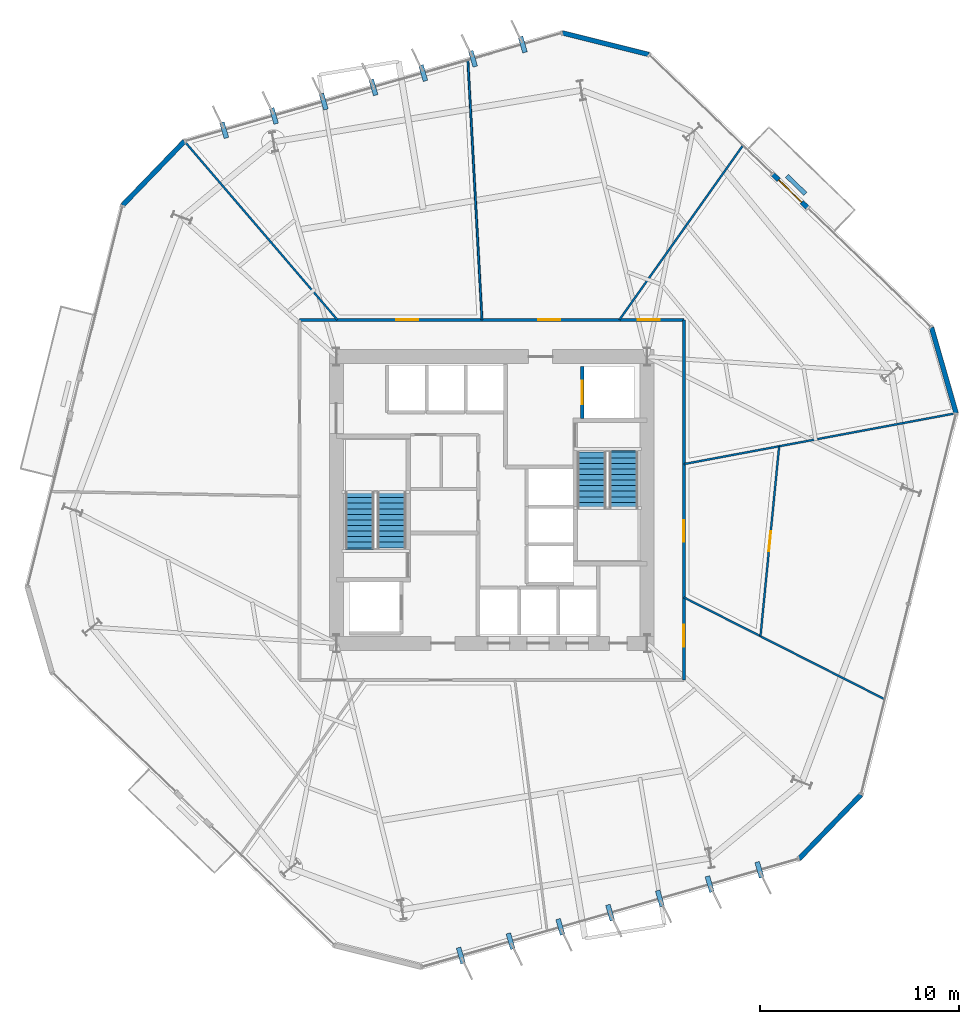
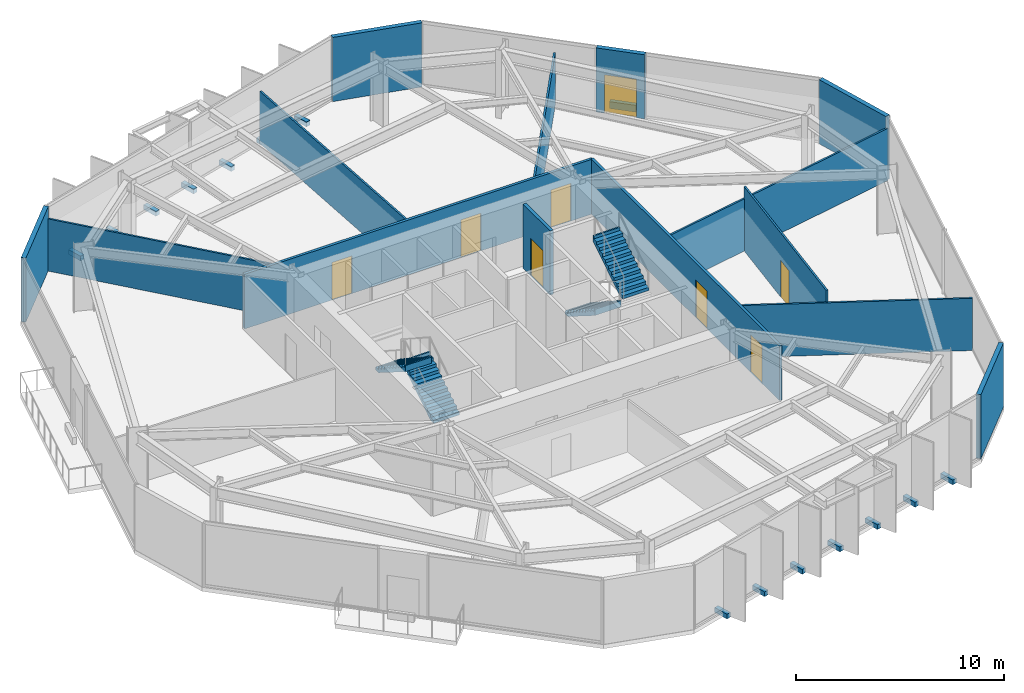
# One storey, part 7 of 10: 15 walls, 14 discrete accessories, 8 doors, 4 stair flights, 8 openings, 2 elements without a shape of their own.
"""IFC4 building model written with IfcOpenShell, lengths in metres."""

from ifc_helpers import new_model, si_unit, direction, frame, frame_2d, origin, origin_2d, place, context, subcontext, project, spatial, polyline, rectangle, outline, extrude, material, layer, layer_set, type_object, element, fill, aggregate, save


model = new_model("IFC4")

# Units and contexts
model_context = context("Model", 3, precision=1e-05, world=origin(), true_north=direction((0.0, 1.0)))
body_context = subcontext(model_context, "Body", "Model", "MODEL_VIEW")
ifc_project = project(units=[si_unit("LENGTHUNIT", "METRE"), si_unit("AREAUNIT", "SQUARE_METRE"), si_unit("VOLUMEUNIT", "CUBIC_METRE"), si_unit("PLANEANGLEUNIT", "RADIAN"), si_unit("MASSUNIT", "GRAM", prefix="KILO")], contexts=[model_context])

# Site, building, storey
site_placement = place(None, origin())
site = spatial("IfcSite", under=ifc_project, at=site_placement, CompositionType="ELEMENT")
building_placement = place(site_placement, origin())
building = spatial("IfcBuilding", under=site, at=building_placement, Name="Kranzbogen Civic Tower", CompositionType="ELEMENT")
storey_placement = place(building_placement, frame((0.0, 0.0, 84.0)))
storey = spatial("IfcBuildingStorey", under=building, at=storey_placement, Name="L20", CompositionType="ELEMENT", Elevation=84.0)

# Wall, openings, doors
ifc_material_1 = material(Name="Double-Stud Acoustic Gypsum Partition")
ifc_layer_1 = layer(ifc_material_1, 0.14990234375, Name="Double-Stud Acoustic Gypsum Partition")
ifc_layer_set_1 = layer_set([ifc_layer_1], Name="Double-Stud Acoustic Gypsum Partition")
wall_type_1 = type_object("IfcWallType", Name="Acoustic Corridor and Clinical Partition 150 mm", PredefinedType="PARTITIONING", material=ifc_layer_set_1)
wall_1_placement = place(storey_placement, frame((15.35009765625, 34.050048828125, 0.0), z_axis=(0.0, 0.0, 1.0), x_axis=(1.0, 0.0, 0.0)))
wall_1 = element("IfcWall", 1, at=wall_1_placement, inside=storey, type_object=wall_type_1, Name="L20 corridor partition 01", PredefinedType="PARTITIONING", context=body_context, shape_type="SweptSolid", body=[
    extrude(rectangle(XDim=19.2998046875, YDim=0.14990234375, at=frame_2d((9.64990234375, 0.0))), origin(), (0.0, 0.0, 1.0), 3.2099609375),
])
opening_1_placement = place(wall_1_placement, frame((16.97705078125, 0.0, 0.0)))
opening_1 = element("IfcOpeningElement", 2, at=opening_1_placement, cuts=wall_1, Name="Opening D-COR60", PredefinedType="OPENING", context=body_context, shape_type="SweptSolid", body=[
    extrude(rectangle(XDim=1.10009765625, YDim=2.199951171875, at=frame_2d((0.550048828125, 1.10009765625))), frame((0.0, 0.0849609375, 0.0), z_axis=(0.0, -1.0, 0.0), x_axis=(1.0, 0.0, 0.0)), (0.0, 0.0, 1.0), 0.169921875),
])
opening_2_placement = place(wall_1_placement, frame((11.99609375, 0.0, 0.0)))
opening_2 = element("IfcOpeningElement", 3, at=opening_2_placement, cuts=wall_1, Name="Opening D-COR60", PredefinedType="OPENING", context=body_context, shape_type="SweptSolid", body=[
    extrude(rectangle(XDim=1.10009765625, YDim=2.199951171875, at=frame_2d((0.550048828125, 1.10009765625))), frame((0.0, 0.0849609375, 0.0), z_axis=(0.0, -1.0, 0.0), x_axis=(1.0, 0.0, 0.0)), (0.0, 0.0, 1.0), 0.169921875),
])
opening_3_placement = place(wall_1_placement, frame((4.846923828125, 0.0, 0.0)))
opening_3 = element("IfcOpeningElement", 4, at=opening_3_placement, cuts=wall_1, Name="Opening D-COR60", PredefinedType="OPENING", context=body_context, shape_type="SweptSolid", body=[
    extrude(rectangle(XDim=1.10009765625, YDim=2.199951171875, at=frame_2d((0.550048828125, 1.10009765625))), frame((0.0, 0.0849609375, 0.0), z_axis=(0.0, -1.0, 0.0), x_axis=(1.0, 0.0, 0.0)), (0.0, 0.0, 1.0), 0.169921875),
])
ifc_material_2 = material(Name="Oak Timber and Fire Core", Category="wood")
door_type_1 = type_object("IfcDoorType", Name="Corridor Acoustic Fire Door 1100x2200", OperationType="NOTDEFINED", PredefinedType="DOOR", material=ifc_material_2)
door_1_placement = place(opening_1_placement, origin())
door_1 = element("IfcDoor", 5, at=door_1_placement, inside=storey, type_object=door_type_1, Name="L20 Duty Crew Control Room door", OperationType="SINGLE_SWING_LEFT", OverallHeight=2.199951171875, OverallWidth=1.10009765625, PredefinedType="DOOR", context=body_context, shape_type="SweptSolid", body=[
    extrude(rectangle(XDim=1.10009765625, YDim=2.199951171875, at=frame_2d((0.550048828125, 1.10009765625))), frame((0.0, 0.02490234375, 0.0), z_axis=(0.0, -1.0, 0.0), x_axis=(1.0, 0.0, 0.0)), (0.0, 0.0, 1.0), 0.050048828125),
])
fill(opening_1, door_1)
door_2_placement = place(opening_2_placement, origin())
door_2 = element("IfcDoor", 6, at=door_2_placement, inside=storey, type_object=door_type_1, Name="L20 Executive Briefing Conference Room door", OperationType="SINGLE_SWING_RIGHT", OverallHeight=2.199951171875, OverallWidth=1.10009765625, PredefinedType="DOOR", context=body_context, shape_type="SweptSolid", body=[
    extrude(rectangle(XDim=1.10009765625, YDim=2.199951171875, at=frame_2d((0.550048828125, 1.10009765625))), frame((0.0, 0.02490234375, 0.0), z_axis=(0.0, -1.0, 0.0), x_axis=(1.0, 0.0, 0.0)), (0.0, 0.0, 1.0), 0.050048828125),
])
fill(opening_2, door_2)
door_3_placement = place(opening_3_placement, origin())
door_3 = element("IfcDoor", 7, at=door_3_placement, inside=storey, type_object=door_type_1, Name="L20 Civic Reference Library door", OperationType="SINGLE_SWING_LEFT", OverallHeight=2.199951171875, OverallWidth=1.10009765625, PredefinedType="DOOR", context=body_context, shape_type="SweptSolid", body=[
    extrude(rectangle(XDim=1.10009765625, YDim=2.199951171875, at=frame_2d((0.550048828125, 1.10009765625))), frame((0.0, 0.02490234375, 0.0), z_axis=(0.0, -1.0, 0.0), x_axis=(1.0, 0.0, 0.0)), (0.0, 0.0, 1.0), 0.050048828125),
])
fill(opening_3, door_3)

wall_2_placement = place(storey_placement, frame((34.64990234375, 34.050048828125, 0.0), z_axis=(0.0, 0.0, 1.0), x_axis=(0.0, -1.0, 0.0)))
wall_2 = element("IfcWall", 8, at=wall_2_placement, inside=storey, type_object=wall_type_1, Name="L20 corridor partition 02", PredefinedType="PARTITIONING", context=body_context, shape_type="SweptSolid", body=[
    extrude(rectangle(XDim=18.10009765625, YDim=0.14990234375, at=frame_2d((9.050048828125, 0.0))), origin(), (0.0, 0.0, 1.0), 3.2099609375),
])
opening_4_placement = place(wall_2_placement, frame((15.30810546875, 0.0, 0.0)))
opening_4 = element("IfcOpeningElement", 9, at=opening_4_placement, cuts=wall_2, Name="Opening D-COR60", PredefinedType="OPENING", context=body_context, shape_type="SweptSolid", body=[
    extrude(rectangle(XDim=1.10009765625, YDim=2.199951171875, at=frame_2d((0.550048828125, 1.10009765625))), frame((0.0, 0.0849609375, 0.0), z_axis=(0.0, -1.0, 0.0), x_axis=(1.0, 0.0, 0.0)), (0.0, 0.0, 1.0), 0.169921875),
])
opening_5_placement = place(wall_2_placement, frame((10.055908203125, 0.0, 0.0)))
opening_5 = element("IfcOpeningElement", 10, at=opening_5_placement, cuts=wall_2, Name="Opening D-COR60", PredefinedType="OPENING", context=body_context, shape_type="SweptSolid", body=[
    extrude(rectangle(XDim=1.10009765625, YDim=2.199951171875, at=frame_2d((0.550048828125, 1.10009765625))), frame((0.0, 0.0849609375, 0.0), z_axis=(0.0, -1.0, 0.0), x_axis=(1.0, 0.0, 0.0)), (0.0, 0.0, 1.0), 0.169921875),
])
door_4_placement = place(opening_4_placement, origin())
door_4 = element("IfcDoor", 11, at=door_4_placement, inside=storey, type_object=door_type_1, Name="L20 Legal Counsel Office door", OperationType="SINGLE_SWING_RIGHT", OverallHeight=2.199951171875, OverallWidth=1.10009765625, PredefinedType="DOOR", context=body_context, shape_type="SweptSolid", body=[
    extrude(rectangle(XDim=1.10009765625, YDim=2.199951171875, at=frame_2d((0.550048828125, 1.10009765625))), frame((0.0, 0.02490234375, 0.0), z_axis=(0.0, -1.0, 0.0), x_axis=(1.0, 0.0, 0.0)), (0.0, 0.0, 1.0), 0.050048828125),
])
fill(opening_4, door_4)
door_5_placement = place(opening_5_placement, origin())
door_5 = element("IfcDoor", 12, at=door_5_placement, inside=storey, type_object=door_type_1, Name="L20 Operations Security Control Room door", OperationType="SINGLE_SWING_LEFT", OverallHeight=2.199951171875, OverallWidth=1.10009765625, PredefinedType="DOOR", context=body_context, shape_type="SweptSolid", body=[
    extrude(rectangle(XDim=1.10009765625, YDim=2.199951171875, at=frame_2d((0.550048828125, 1.10009765625))), frame((0.0, 0.02490234375, 0.0), z_axis=(0.0, -1.0, 0.0), x_axis=(1.0, 0.0, 0.0)), (0.0, 0.0, 1.0), 0.050048828125),
])
fill(opening_5, door_5)

# Walls
ifc_material_3 = material(Name="Architectural Precast Terracotta Concrete C40/50", Category="masonry")
ifc_layer_2 = layer(ifc_material_3, 0.219970703125, Name="Architectural Precast Terracotta Concrete C40/50")
ifc_layer_set_2 = layer_set([ifc_layer_2], Name="Architectural Precast Terracotta Concrete C40/50")
wall_type_2 = type_object("IfcWallType", Name="Architectural Tree Planter Kerb Wall 220 mm", PredefinedType="USERDEFINED", material=ifc_layer_set_2)
wall_3_placement = place(storey_placement, frame((40.7529296875, 40.376953125, 0.0), z_axis=(0.0, 0.0, 1.0), x_axis=(-0.719288309138, 0.694711687204, 0.0)))
element("IfcWall", 13, at=wall_3_placement, inside=storey, type_object=wall_type_2, Name="L20 landscaped tree balcony planter L20-TB2", ObjectType="PLANTER_WALL", PredefinedType="USERDEFINED", context=body_context, shape_type="SweptSolid", body=[
    extrude(rectangle(XDim=1.30126953125, YDim=0.219970703125, at=frame_2d((0.650634765625, 0.0))), origin(), (0.0, 0.0, 1.0), 0.39990234375),
])
ifc_material_4 = material(Name="Demountable Aluminium and Gypsum Partition", Category="aluminium")
ifc_layer_3 = layer(ifc_material_4, 0.10009765625, Name="Demountable Aluminium and Gypsum Partition")
ifc_layer_set_3 = layer_set([ifc_layer_3], Name="Demountable Aluminium and Gypsum Partition")
wall_type_3 = type_object("IfcWallType", Name="Demountable Office Partition 100 mm", PredefinedType="MOVABLE", material=ifc_layer_set_3)
wall_4_placement = place(storey_placement, frame((31.409912109375, 34.050048828125, 0.0), z_axis=(0.0, 0.0, 1.0), x_axis=(0.577987627676, 0.816045527071, 0.0)))
element("IfcWall", 14, at=wall_4_placement, inside=storey, type_object=wall_type_3, Name="L20 radial room partition 01", PredefinedType="MOVABLE", context=body_context, shape_type="SweptSolid", body=[
    extrude(rectangle(XDim=10.71484375, YDim=0.10009765625, at=frame_2d((5.357421875, 0.0))), origin(), (0.0, 0.0, 1.0), 3.06005859375),
])
wall_5_placement = place(storey_placement, frame((24.508056640625, 34.050048828125, 0.0), z_axis=(0.0, 0.0, 1.0), x_axis=(-0.054331204266, 0.998522969312, 0.0)))
element("IfcWall", 15, at=wall_5_placement, inside=storey, type_object=wall_type_3, Name="L20 radial room partition 02", PredefinedType="MOVABLE", context=body_context, shape_type="SweptSolid", body=[
    extrude(rectangle(XDim=13.04931640625, YDim=0.10009765625, at=frame_2d((6.524658203125, 0.0))), origin(), (0.0, 0.0, 1.0), 3.050048828125),
])
wall_6_placement = place(storey_placement, frame((17.24609375, 34.050048828125, 0.0), z_axis=(0.0, 0.0, 1.0), x_axis=(-0.650642961781, 0.759383787215, 0.0)))
element("IfcWall", 16, at=wall_6_placement, inside=storey, type_object=wall_type_3, Name="L20 radial room partition 03", PredefinedType="MOVABLE", context=body_context, shape_type="SweptSolid", body=[
    extrude(rectangle(XDim=11.787109375, YDim=0.10009765625, at=frame_2d((5.8935546875, 0.0))), origin(), (0.0, 0.0, 1.0), 3.06005859375),
])
wall_7_placement = place(storey_placement, frame((34.64990234375, 20.10693359375, 0.0), z_axis=(0.0, 0.0, 1.0), x_axis=(0.891900925877, -0.452230846382, 0.0)))
element("IfcWall", 17, at=wall_7_placement, inside=storey, type_object=wall_type_3, Name="L20 radial room partition 07", PredefinedType="MOVABLE", context=body_context, shape_type="SweptSolid", body=[
    extrude(rectangle(XDim=11.292724609375, YDim=0.10009765625, at=frame_2d((5.646484375, 0.0))), origin(), (0.0, 0.0, 1.0), 3.06005859375),
])
wall_8_placement = place(storey_placement, frame((34.64990234375, 26.803955078125, 0.0), z_axis=(0.0, 0.0, 1.0), x_axis=(0.982958252247, 0.183828926831, 0.0)))
element("IfcWall", 18, at=wall_8_placement, inside=storey, type_object=wall_type_3, Name="L20 radial room partition 08", PredefinedType="MOVABLE", context=body_context, shape_type="SweptSolid", body=[
    extrude(rectangle(XDim=13.8876953125, YDim=0.10009765625, at=frame_2d((6.94384765625, 0.0))), origin(), (0.0, 0.0, 1.0), 3.06005859375),
])

# Wall, opening, door
wall_9_placement = place(storey_placement, frame((38.4970703125, 18.173095703125, 0.0), z_axis=(0.0, 0.0, 1.0), x_axis=(0.097826461563, 0.995203488447, 0.0)))
wall_9 = element("IfcWall", 19, at=wall_9_placement, inside=storey, type_object=wall_type_3, Name="L20 suite chord partition 01", PredefinedType="MOVABLE", context=body_context, shape_type="SweptSolid", body=[
    extrude(rectangle(XDim=9.555908203125, YDim=0.10009765625, at=frame_2d((4.77783203125, 0.0))), origin(), (0.0, 0.0, 1.0), 3.760009765625),
])
opening_6_placement = place(wall_9_placement, frame((4.278076171875, 0.0, 0.0)))
opening_6 = element("IfcOpeningElement", 20, at=opening_6_placement, cuts=wall_9, Name="Opening D-OFC10", PredefinedType="OPENING", context=body_context, shape_type="SweptSolid", body=[
    extrude(rectangle(XDim=1.0, YDim=2.14990234375, at=frame_2d((0.5, 1.074951171875))), frame((0.0, 0.06005859375, 0.0), z_axis=(0.0, -1.0, 0.0), x_axis=(1.0, 0.0, 0.0)), (0.0, 0.0, 1.0), 0.1201171875),
])
ifc_material_5 = material(Name="Oak Timber Veneer", Category="wood")
door_type_2 = type_object("IfcDoorType", Name="Standard Office Acoustic Door 1000x2150", OperationType="NOTDEFINED", PredefinedType="DOOR", material=ifc_material_5)
door_6_placement = place(opening_6_placement, origin())
door_6 = element("IfcDoor", 21, at=door_6_placement, inside=storey, type_object=door_type_2, Name="L20 Central Mail Post Room door", OperationType="SINGLE_SWING_RIGHT", OverallHeight=2.14990234375, OverallWidth=1.0, PredefinedType="DOOR", context=body_context, shape_type="SweptSolid", body=[
    extrude(rectangle(XDim=1.0, YDim=2.14990234375, at=frame_2d((0.5, 1.074951171875))), frame((0.0, 0.02490234375, 0.0), z_axis=(0.0, -1.0, 0.0), x_axis=(1.0, 0.0, 0.0)), (0.0, 0.0, 1.0), 0.050048828125),
])
fill(opening_6, door_6)

ifc_material_6 = material(Name="Gypsum Fireboard Shaftliner")
ifc_layer_4 = layer(ifc_material_6, 0.175048828125, Name="Gypsum Fireboard Shaftliner")
ifc_layer_set_4 = layer_set([ifc_layer_4], Name="Gypsum Fireboard Shaftliner")
wall_type_4 = type_object("IfcWallType", Name="Fire-Rated Lift and Service Shaft Wall 175 mm", PredefinedType="PARTITIONING", material=ifc_layer_set_4)
wall_10_placement = place(storey_placement, frame((29.550048828125, 29.10009765625, 0.0), z_axis=(0.0, 0.0, 1.0), x_axis=(0.0, 1.0, 0.0)))
wall_10 = element("IfcWall", 22, at=wall_10_placement, inside=storey, type_object=wall_type_4, Name="L20 lift FF-02 landing wall", PredefinedType="PARTITIONING", context=body_context, shape_type="SweptSolid", body=[
    extrude(rectangle(XDim=2.599853515625, YDim=0.175048828125, at=frame_2d((1.2998046875, 0.0))), origin(), (0.0, 0.0, 1.0), 3.760009765625),
])
opening_7_placement = place(wall_10_placement, frame((0.699951171875, 0.0, 0.0)))
opening_7 = element("IfcOpeningElement", 23, at=opening_7_placement, cuts=wall_10, Name="Opening LD-FF-02", PredefinedType="OPENING", context=body_context, shape_type="SweptSolid", body=[
    extrude(rectangle(XDim=1.199951171875, YDim=2.199951171875, at=frame_2d((0.60009765625, 1.10009765625))), frame((0.0, 0.09765625, 0.0), z_axis=(0.0, -1.0, 0.0), x_axis=(1.0, 0.0, 0.0)), (0.0, 0.0, 1.0), 0.195068359375),
])
ifc_material_7 = material(Name="Pale Anodised Aluminium", Category="aluminium")
door_type_3 = type_object("IfcDoorType", Name="Firefighting and Stretcher Lift Sliding Landing Door 1200x2200", OperationType="DOUBLE_DOOR_SLIDING", PredefinedType="DOOR", material=ifc_material_7)
door_7_placement = place(opening_7_placement, origin())
door_7 = element("IfcDoor", 24, at=door_7_placement, inside=storey, type_object=door_type_3, Name="L20 lift FF-02 sliding landing door", OperationType="DOUBLE_DOOR_SLIDING", OverallHeight=2.199951171875, OverallWidth=1.199951171875, PredefinedType="DOOR", context=body_context, shape_type="SweptSolid", body=[
    extrude(rectangle(XDim=1.199951171875, YDim=2.199951171875, at=frame_2d((0.60009765625, 1.10009765625))), frame((0.0, 0.02490234375, 0.0), z_axis=(0.0, -1.0, 0.0), x_axis=(1.0, 0.0, 0.0)), (0.0, 0.0, 1.0), 0.050048828125),
])
fill(opening_7, door_7)

ifc_layer_5 = layer(ifc_material_7, 0.239990234375, Name="Pale Anodised Aluminium")
ifc_layer_set_5 = layer_set([ifc_layer_5], Name="Pale Anodised Aluminium")
wall_type_5 = type_object("IfcWallType", Name="Insulated Aluminium Facade Portal Wall 240 mm", PredefinedType="STANDARD", material=ifc_layer_set_5)
wall_11_placement = place(storey_placement, frame((40.84912109375, 39.68505859375, 0.0), z_axis=(0.0, 0.0, 1.0), x_axis=(-0.719506606337, 0.694485596278, 0.0)))
wall_11 = element("IfcWall", 25, at=wall_11_placement, inside=storey, type_object=wall_type_5, Name="L20 exterior entrance portal wall 1", PredefinedType="STANDARD", context=body_context, shape_type="SweptSolid", body=[
    extrude(rectangle(XDim=2.400390625, YDim=0.239990234375, at=frame_2d((1.2001953125, 0.0))), origin(), (0.0, 0.0, 1.0), 3.760009765625),
])
opening_8_placement = place(wall_11_placement, frame((0.39990234375, 0.0, 0.0)))
opening_8 = element("IfcOpeningElement", 26, at=opening_8_placement, cuts=wall_11, Name="Opening D-TER", PredefinedType="OPENING", context=body_context, shape_type="SweptSolid", body=[
    extrude(rectangle(XDim=1.60009765625, YDim=2.25, at=frame_2d((0.800048828125, 1.125))), frame((0.0, 0.1298828125, 0.0), z_axis=(0.0, -1.0, 0.0), x_axis=(1.0, 0.0, 0.0)), (0.0, 0.0, 1.0), 0.260009765625),
])
ifc_material_8 = material(Name="Anodised Bronze and Triple Glass", Category="glass")
door_type_4 = type_object("IfcDoorType", Name="Glazed Terrace and Balcony Double Door 1600x2250", OperationType="DOUBLE_DOOR_SINGLE_SWING", PredefinedType="DOOR", material=ifc_material_8)
door_8_placement = place(opening_8_placement, frame((1.60009765625, 0.0, 0.0), z_axis=(0.0, 0.0, 1.0), x_axis=(-1.0, 0.0, 0.0)))
door_8 = element("IfcDoor", 27, at=door_8_placement, inside=storey, type_object=door_type_4, Name="L20 tree balcony access door L20-TB2", OperationType="DOUBLE_DOOR_SINGLE_SWING", OverallHeight=2.25, OverallWidth=1.60009765625, PredefinedType="DOOR", context=body_context, shape_type="SweptSolid", body=[
    extrude(rectangle(XDim=1.60009765625, YDim=2.25, at=frame_2d((0.800048828125, 1.125))), frame((0.0, 0.02490234375, 0.0), z_axis=(0.0, -1.0, 0.0), x_axis=(1.0, 0.0, 0.0)), (0.0, 0.0, 1.0), 0.050048828125),
])
fill(opening_8, door_8)

# Walls
wall_12_placement = place(storey_placement, frame((32.884033203125, 47.3759765625, 0.0), z_axis=(0.0, 0.0, 1.0), x_axis=(-0.970261147955, 0.242060539471, 0.0)))
element("IfcWall", 28, at=wall_12_placement, inside=storey, type_object=wall_type_5, Name="L20 chamfered corner facade spandrel 1", PredefinedType="STANDARD", context=body_context, shape_type="SweptSolid", body=[
    extrude(rectangle(XDim=4.47412109375, YDim=0.239990234375, at=frame_2d((2.237060546875, 0.0))), origin(), (0.0, 0.0, 1.0), 3.760009765625),
])
for number, where, z_axis, x_axis, name in (
    (29, (9.56396484375, 43.01611328125, 0.0), (0.0, 0.0, 1.0), (-0.694693843806, -0.719305542435, 0.0), "L20 chamfered corner facade spandrel 2"),
    (30, (40.43603515625, 6.98388671875, 0.0), (0.0, 0.0, 1.0), (0.694693843806, 0.719305542435, 0.0), "L20 chamfered corner facade spandrel 5"),
):
    element("IfcWall", number, at=place(storey_placement, frame(where, z_axis=z_axis, x_axis=x_axis)), inside=storey, type_object=wall_type_5, Name=name, PredefinedType="STANDARD", context=body_context, shape_type="SweptSolid", body=[
        extrude(rectangle(XDim=4.473876953125, YDim=0.239990234375, at=frame_2d((2.23681640625, 0.0))), origin(), (0.0, 0.0, 1.0), 3.760009765625),
    ])
wall_13_placement = place(storey_placement, frame((48.320068359375, 29.360107421875, 0.0), z_axis=(0.0, 0.0, 1.0), x_axis=(-0.275679732289, 0.96124954367, 0.0)))
element("IfcWall", 31, at=wall_13_placement, inside=storey, type_object=wall_type_5, Name="L20 chamfered corner facade spandrel 6", PredefinedType="STANDARD", context=body_context, shape_type="SweptSolid", body=[
    extrude(rectangle(XDim=4.47314453125, YDim=0.239990234375, at=frame_2d((2.236572265625, 0.0))), origin(), (0.0, 0.0, 1.0), 3.760009765625),
])

# Stair, stair flights
ifc_material_9 = material(Name="Precast concrete C40/50", Category="concrete")
stair_type_1 = type_object("IfcStairType", Name="Tower Core Pressurized Dogleg Stair 1450", PredefinedType="HALF_TURN_STAIR", material=ifc_material_9)
stair_1_placement = place(storey_placement, origin())
stair_1 = element("IfcStair", 32, at=stair_1_placement, inside=storey, type_object=stair_type_1, Name="L20 Tower Core Pressurized Stair 1", PredefinedType="HALF_TURN_STAIR")
stair_flight_type = type_object("IfcStairFlightType", Name="Precast Concrete Stair Flight R180", PredefinedType="STRAIGHT", material=ifc_material_9)
stair_flight_1_placement = place(storey_placement, frame((19.97509765625, 22.60009765625, 0.0), z_axis=(0.0, 0.0, 1.0), x_axis=(0.0, 1.0, 0.0)))
stair_flight_1 = element("IfcStairFlight", 33, at=stair_flight_1_placement, type_object=stair_flight_type, Name="ST-T1 flight 1", NumberOfRisers=11, NumberOfTreads=10, PredefinedType="STRAIGHT", RiserHeight=0.181818182, TreadLength=0.28, context=body_context, shape_type="SweptSolid", body=[
    extrude(outline(polyline([(0.0, 0.0), (0.0, 0.181884765625), (0.280029296875, 0.181884765625), (0.280029296875, 0.363525390625), (0.56005859375, 0.363525390625), (0.56005859375, 0.54541015625), (0.840087890625, 0.54541015625), (0.840087890625, 0.727294921875), (1.1201171875, 0.727294921875), (1.1201171875, 0.9091796875), (1.39990234375, 0.9091796875), (1.39990234375, 1.0908203125), (1.679931640625, 1.0908203125), (1.679931640625, 1.272705078125), (1.9599609375, 1.272705078125), (1.9599609375, 1.45458984375), (2.239990234375, 1.45458984375), (2.239990234375, 1.636474609375), (2.52001953125, 1.636474609375), (2.52001953125, 1.818115234375), (2.800048828125, 1.818115234375), (2.800048828125, 2.0), (2.880126953125, 2.0), (2.880126953125, 1.639404296875), (0.275146484375, 0.0), (0.0, 0.0)])), frame((0.0, 0.72509765625, 0.0), z_axis=(0.0, -1.0, 0.0), x_axis=(1.0, 0.0, 0.0)), (0.0, 0.0, 1.0), 1.449951171875),
])
stair_flight_2_placement = place(storey_placement, frame((18.375, 25.39990234375, 2.0), z_axis=(0.0, 0.0, 1.0), x_axis=(0.0, -1.0, 0.0)))
stair_flight_2 = element("IfcStairFlight", 34, at=stair_flight_2_placement, type_object=stair_flight_type, Name="ST-T1 flight 2", NumberOfRisers=11, NumberOfTreads=10, PredefinedType="STRAIGHT", RiserHeight=0.181818182, TreadLength=0.28, context=body_context, shape_type="SweptSolid", body=[
    extrude(outline(polyline([(0.0, 0.0), (0.0, 0.181884765625), (0.280029296875, 0.181884765625), (0.280029296875, 0.363525390625), (0.56005859375, 0.363525390625), (0.56005859375, 0.54541015625), (0.840087890625, 0.54541015625), (0.840087890625, 0.727294921875), (1.1201171875, 0.727294921875), (1.1201171875, 0.9091796875), (1.39990234375, 0.9091796875), (1.39990234375, 1.0908203125), (1.679931640625, 1.0908203125), (1.679931640625, 1.272705078125), (1.9599609375, 1.272705078125), (1.9599609375, 1.45458984375), (2.239990234375, 1.45458984375), (2.239990234375, 1.636474609375), (2.52001953125, 1.636474609375), (2.52001953125, 1.818115234375), (2.800048828125, 1.818115234375), (2.800048828125, 2.0), (2.880126953125, 2.0), (2.880126953125, 1.639404296875), (0.275146484375, 0.0), (0.0, 0.0)])), frame((0.0, 0.72509765625, 0.0), z_axis=(0.0, -1.0, 0.0), x_axis=(1.0, 0.0, 0.0)), (0.0, 0.0, 1.0), 1.449951171875),
])
aggregate(stair_1, [stair_flight_1, stair_flight_2])

stair_type_2 = type_object("IfcStairType", Name="Tower Core Secondary Dogleg Stair 1450", PredefinedType="HALF_TURN_STAIR", material=ifc_material_9)
stair_2_placement = place(storey_placement, origin())
stair_2 = element("IfcStair", 35, at=stair_2_placement, inside=storey, type_object=stair_type_2, Name="L20 Tower Core Pressurized Stair 2", PredefinedType="HALF_TURN_STAIR")
stair_flight_3_placement = place(storey_placement, frame((30.02490234375, 27.39990234375, 0.0), z_axis=(0.0, 0.0, 1.0), x_axis=(0.0, -1.0, 0.0)))
stair_flight_3 = element("IfcStairFlight", 36, at=stair_flight_3_placement, type_object=stair_flight_type, Name="ST-T2 flight 1", NumberOfRisers=11, NumberOfTreads=10, PredefinedType="STRAIGHT", RiserHeight=0.181818182, TreadLength=0.28, context=body_context, shape_type="SweptSolid", body=[
    extrude(outline(polyline([(0.0, 0.0), (0.0, 0.181884765625), (0.280029296875, 0.181884765625), (0.280029296875, 0.363525390625), (0.56005859375, 0.363525390625), (0.56005859375, 0.54541015625), (0.840087890625, 0.54541015625), (0.840087890625, 0.727294921875), (1.1201171875, 0.727294921875), (1.1201171875, 0.9091796875), (1.39990234375, 0.9091796875), (1.39990234375, 1.0908203125), (1.679931640625, 1.0908203125), (1.679931640625, 1.272705078125), (1.9599609375, 1.272705078125), (1.9599609375, 1.45458984375), (2.239990234375, 1.45458984375), (2.239990234375, 1.636474609375), (2.52001953125, 1.636474609375), (2.52001953125, 1.818115234375), (2.800048828125, 1.818115234375), (2.800048828125, 2.0), (2.880126953125, 2.0), (2.880126953125, 1.639404296875), (0.275146484375, 0.0), (0.0, 0.0)])), frame((0.0, 0.72509765625, 0.0), z_axis=(0.0, -1.0, 0.0), x_axis=(1.0, 0.0, 0.0)), (0.0, 0.0, 1.0), 1.449951171875),
])
stair_flight_4_placement = place(storey_placement, frame((31.625, 24.60009765625, 2.0), z_axis=(0.0, 0.0, 1.0), x_axis=(0.0, 1.0, 0.0)))
stair_flight_4 = element("IfcStairFlight", 37, at=stair_flight_4_placement, type_object=stair_flight_type, Name="ST-T2 flight 2", NumberOfRisers=11, NumberOfTreads=10, PredefinedType="STRAIGHT", RiserHeight=0.181818182, TreadLength=0.28, context=body_context, shape_type="SweptSolid", body=[
    extrude(outline(polyline([(0.0, 0.0), (0.0, 0.181884765625), (0.280029296875, 0.181884765625), (0.280029296875, 0.363525390625), (0.56005859375, 0.363525390625), (0.56005859375, 0.54541015625), (0.840087890625, 0.54541015625), (0.840087890625, 0.727294921875), (1.1201171875, 0.727294921875), (1.1201171875, 0.9091796875), (1.39990234375, 0.9091796875), (1.39990234375, 1.0908203125), (1.679931640625, 1.0908203125), (1.679931640625, 1.272705078125), (1.9599609375, 1.272705078125), (1.9599609375, 1.45458984375), (2.239990234375, 1.45458984375), (2.239990234375, 1.636474609375), (2.52001953125, 1.636474609375), (2.52001953125, 1.818115234375), (2.800048828125, 1.818115234375), (2.800048828125, 2.0), (2.880126953125, 2.0), (2.880126953125, 1.639404296875), (0.275146484375, 0.0), (0.0, 0.0)])), frame((0.0, 0.72509765625, 0.0), z_axis=(0.0, -1.0, 0.0), x_axis=(1.0, 0.0, 0.0)), (0.0, 0.0, 1.0), 1.449951171875),
])
aggregate(stair_2, [stair_flight_3, stair_flight_4])

# Discrete accessories
ifc_material_10 = material(Name="Steel S355", Category="steel")
discrete_accessory_type = type_object("IfcDiscreteAccessoryType", Name="Structural Curtain-Wall Fin Support Bracket", PredefinedType="BRACKET", material=ifc_material_10)
for number, where, z_axis, x_axis, name in (
    (38, (26.554931640625, 47.875, -0.25), (0.0, 0.0, 1.0), (-0.275637355817, 0.961261695938, 0.0), "L20 facade fin support bracket F2-1"),
    (39, (24.055908203125, 47.157958984375, -0.25), (0.0, 0.0, 1.0), (-0.275637355817, 0.961261695938, 0.0), "L20 facade fin support bracket F2-2"),
    (40, (21.555908203125, 46.44189453125, -0.25), (0.0, 0.0, 1.0), (-0.275637355817, 0.961261695938, 0.0), "L20 facade fin support bracket F2-3"),
    (41, (19.056884765625, 45.72509765625, -0.25), (0.0, 0.0, 1.0), (-0.275637355817, 0.961261695938, 0.0), "L20 facade fin support bracket F2-4"),
    (42, (16.55810546875, 45.008056640625, -0.25), (0.0, 0.0, 1.0), (-0.275637355817, 0.961261695938, 0.0), "L20 facade fin support bracket F2-5"),
    (43, (14.05908203125, 44.291015625, -0.25), (0.0, 0.0, 1.0), (-0.275637355817, 0.961261695938, 0.0), "L20 facade fin support bracket F2-6"),
    (44, (11.55908203125, 43.574951171875, -0.25), (0.0, 0.0, 1.0), (-0.275637355817, 0.961261695938, 0.0), "L20 facade fin support bracket F2-7"),
    (45, (23.445068359375, 2.125, -0.25), (0.0, 0.0, 1.0), (0.275637355817, -0.961261695938, 0.0), "L20 facade fin support bracket F5-1"),
    (46, (25.944091796875, 2.842041015625, -0.25), (0.0, 0.0, 1.0), (0.275637355817, -0.961261695938, 0.0), "L20 facade fin support bracket F5-2"),
    (47, (28.444091796875, 3.55810546875, -0.25), (0.0, 0.0, 1.0), (0.275637355817, -0.961261695938, 0.0), "L20 facade fin support bracket F5-3"),
    (48, (30.943115234375, 4.27490234375, -0.25), (0.0, 0.0, 1.0), (0.275637355817, -0.961261695938, 0.0), "L20 facade fin support bracket F5-4"),
    (49, (33.44189453125, 4.991943359375, -0.25), (0.0, 0.0, 1.0), (0.275637355817, -0.961261695938, 0.0), "L20 facade fin support bracket F5-5"),
    (50, (35.94091796875, 5.708984375, -0.25), (0.0, 0.0, 1.0), (0.275637355817, -0.961261695938, 0.0), "L20 facade fin support bracket F5-6"),
    (51, (38.44091796875, 6.425048828125, -0.25), (0.0, 0.0, 1.0), (0.275637355817, -0.961261695938, 0.0), "L20 facade fin support bracket F5-7"),
):
    element("IfcDiscreteAccessory", number, at=place(storey_placement, frame(where, z_axis=z_axis, x_axis=x_axis)), inside=storey, type_object=discrete_accessory_type, Name=name, PredefinedType="BRACKET", context=body_context, shape_type="SweptSolid", body=[
        extrude(rectangle(XDim=0.820068359375, YDim=0.239990234375, at=origin_2d()), origin(), (0.0, 0.0, 1.0), 0.280029296875),
    ])

save(model, "model.ifc")
